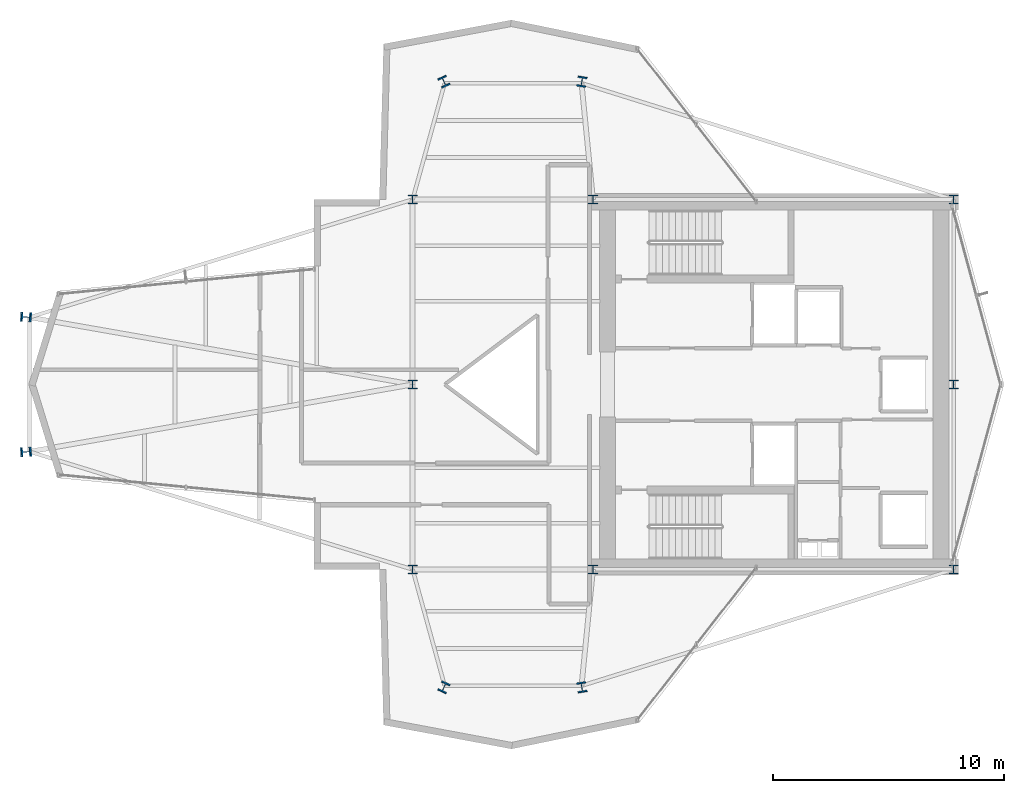
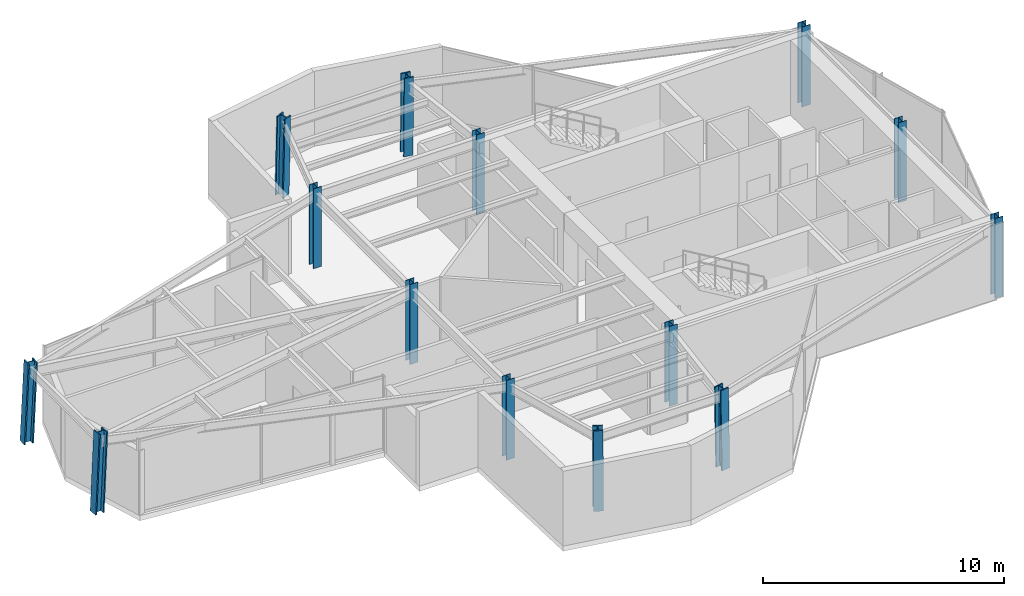
# One storey, part 1 of 20: 14 columns.
"""IFC4 building model written with IfcOpenShell, lengths in metres."""

from ifc_helpers import new_model, si_unit, direction, frame, origin, origin_2d, place, context, subcontext, project, spatial, i_section, extrude, material, material_profile, profile_set, type_object, element, save


model = new_model("IFC4")

# Units and contexts
model_context = context("Model", 3, precision=1e-05, world=origin(), true_north=direction((0.0, 1.0)))
body_context = subcontext(model_context, "Body", "Model", "MODEL_VIEW")
ifc_project = project(units=[si_unit("LENGTHUNIT", "METRE"), si_unit("AREAUNIT", "SQUARE_METRE"), si_unit("VOLUMEUNIT", "CUBIC_METRE"), si_unit("PLANEANGLEUNIT", "RADIAN"), si_unit("MASSUNIT", "GRAM", prefix="KILO")], contexts=[model_context])

# Site, building, storey
site_placement = place(None, origin())
site = spatial("IfcSite", under=ifc_project, at=site_placement, CompositionType="ELEMENT")
building_placement = place(site_placement, origin())
building = spatial("IfcBuilding", under=site, at=building_placement, Name="Veymaron Broadcast Tower", CompositionType="ELEMENT")
storey_placement = place(building_placement, frame((0.0, 0.0, 248.550048828125)))
storey = spatial("IfcBuildingStorey", under=building, at=storey_placement, Name="L58", CompositionType="ELEMENT", Elevation=248.550048828125)

# Columns
ifc_material_1 = material(Name="Structural steel ASTM A992 Gr 50", Category="steel")
ifc_material_profile_1 = material_profile(ifc_material_1, i_section(OverallWidth=0.39404296875, OverallDepth=0.375, WebThickness=0.017333984375, FlangeThickness=0.027587890625, at=origin_2d()), Name="W360X216")
ifc_profile_set_1 = profile_set([ifc_material_profile_1], Name="Structural steel ASTM A992 Gr 50")
column_type_1 = type_object("IfcColumnType", Name="COL-HC3", PredefinedType="COLUMN", material=ifc_profile_set_1)
for number, where, z_axis, x_axis, name in (
    (1, (31.199951171875, 16.0, 0.0), (0.0, 0.0, 1.0), (1.0, 0.0, 0.0), "L58 structural hub and core column"),
    (2, (31.199951171875, 24.0, 0.0), (0.0, 0.0, 1.0), (1.0, 0.0, 0.0), "L58 structural hub and core column"),
    (3, (31.199951171875, 32.0, 0.0), (0.0, 0.0, 1.0), (1.0, 0.0, 0.0), "L58 structural hub and core column"),
    (4, (39.0, 16.0, 0.0), (0.0, 0.0, 1.0), (1.0, 0.0, 0.0), "L58 structural hub and core column"),
    (5, (39.0, 32.0, 0.0), (0.0, 0.0, 1.0), (1.0, 0.0, 0.0), "L58 structural hub and core column"),
    (6, (54.60009765625, 16.0, 0.0), (0.0, 0.0, 1.0), (1.0, 0.0, 0.0), "L58 structural hub and core column"),
    (7, (54.60009765625, 24.0, 0.0), (0.0, 0.0, 1.0), (1.0, 0.0, 0.0), "L58 structural hub and core column"),
    (8, (54.60009765625, 32.0, 0.0), (0.0, 0.0, 1.0), (1.0, 0.0, 0.0), "L58 structural hub and core column"),
):
    element("IfcColumn", number, at=place(storey_placement, frame(where, z_axis=z_axis, x_axis=x_axis)), inside=storey, type_object=column_type_1, Name=name, PredefinedType="COLUMN", context=body_context, shape_type="SweptSolid", body=[
        extrude(i_section(OverallWidth=0.39404296875, OverallDepth=0.375, WebThickness=0.017333984375, FlangeThickness=0.027587890625, at=origin_2d()), origin(), (0.0, 0.0, 1.0), 4.0439453125),
    ])
ifc_material_2 = material(Name="Structural steel ASTM A913 Gr 65", Category="steel")
ifc_material_profile_2 = material_profile(ifc_material_2, i_section(OverallWidth=0.412109375, OverallDepth=0.43505859375, WebThickness=0.035888671875, FlangeThickness=0.05810546875, at=origin_2d()), Name="W360X463")
ifc_profile_set_2 = profile_set([ifc_material_profile_2], Name="Structural steel ASTM A913 Gr 65")
column_type_2 = type_object("IfcColumnType", Name="COL-MC3", PredefinedType="COLUMN", material=ifc_profile_set_2)
for number, where, z_axis, x_axis, name in (
    (9, (14.45166015625, 21.08203125, 0.015869140625), (0.044614433031, 0.003217095171, 0.998999100432), (-0.071922099832, 0.997410252382, 0.0), "L58 Tapered Wing Mega Column"),
    (10, (14.45166015625, 26.91796875, 0.015869140625), (0.044614433031, -0.003217095171, 0.998999100432), (0.071922099832, 0.997410252382, 0.0), "L58 Tapered Wing Mega Column"),
):
    element("IfcColumn", number, at=place(storey_placement, frame(where, z_axis=z_axis, x_axis=x_axis)), inside=storey, type_object=column_type_2, Name=name, PredefinedType="COLUMN", context=body_context, shape_type="SweptSolid", body=[
        extrude(i_section(OverallWidth=0.412109375, OverallDepth=0.43505859375, WebThickness=0.035888671875, FlangeThickness=0.05810546875, at=origin_2d()), origin(), (0.0, 0.0, 1.0), 4.02197265625),
    ])
column_1_placement = place(storey_placement, frame((32.549560546875, 37.10791015625, 0.015869140625), z_axis=(0.00905127699, -0.019378237313, 0.999771252989), x_axis=(0.90603796466, 0.423196416095, 0.0)))
element("IfcColumn", 11, at=column_1_placement, inside=storey, type_object=column_type_2, Name="L58 Tapered Wing Mega Column", PredefinedType="COLUMN", context=body_context, shape_type="SweptSolid", body=[
    extrude(i_section(OverallWidth=0.412109375, OverallDepth=0.43505859375, WebThickness=0.035888671875, FlangeThickness=0.05810546875, at=origin_2d()), origin(), (0.0, 0.0, 1.0), 4.01904296875),
])
column_2_placement = place(storey_placement, frame((38.51806640625, 37.10791015625, 0.015869140625), z_axis=(-0.003280445302, -0.019378926877, 0.999806829278), x_axis=(0.985973061302, -0.166904530753, 0.0)))
element("IfcColumn", 12, at=column_2_placement, inside=storey, type_object=column_type_2, Name="L58 Tapered Wing Mega Column", PredefinedType="COLUMN", context=body_context, shape_type="SweptSolid", body=[
    extrude(i_section(OverallWidth=0.412109375, OverallDepth=0.43505859375, WebThickness=0.035888671875, FlangeThickness=0.05810546875, at=origin_2d()), origin(), (0.0, 0.0, 1.0), 4.018798828125),
])
column_3_placement = place(storey_placement, frame((32.549560546875, 10.89208984375, 0.015869140625), z_axis=(0.00905127699, 0.019378237313, 0.999771252989), x_axis=(-0.90603796466, 0.423196416095, 0.0)))
element("IfcColumn", 13, at=column_3_placement, inside=storey, type_object=column_type_2, Name="L58 Tapered Wing Mega Column", PredefinedType="COLUMN", context=body_context, shape_type="SweptSolid", body=[
    extrude(i_section(OverallWidth=0.412109375, OverallDepth=0.43505859375, WebThickness=0.035888671875, FlangeThickness=0.05810546875, at=origin_2d()), origin(), (0.0, 0.0, 1.0), 4.01904296875),
])
column_4_placement = place(storey_placement, frame((38.51806640625, 10.89208984375, 0.015869140625), z_axis=(-0.003280445302, 0.019378926877, 0.999806829278), x_axis=(-0.985973061302, -0.166904530753, 0.0)))
element("IfcColumn", 14, at=column_4_placement, inside=storey, type_object=column_type_2, Name="L58 Tapered Wing Mega Column", PredefinedType="COLUMN", context=body_context, shape_type="SweptSolid", body=[
    extrude(i_section(OverallWidth=0.412109375, OverallDepth=0.43505859375, WebThickness=0.035888671875, FlangeThickness=0.05810546875, at=origin_2d()), origin(), (0.0, 0.0, 1.0), 4.018798828125),
])

save(model, "model.ifc")
